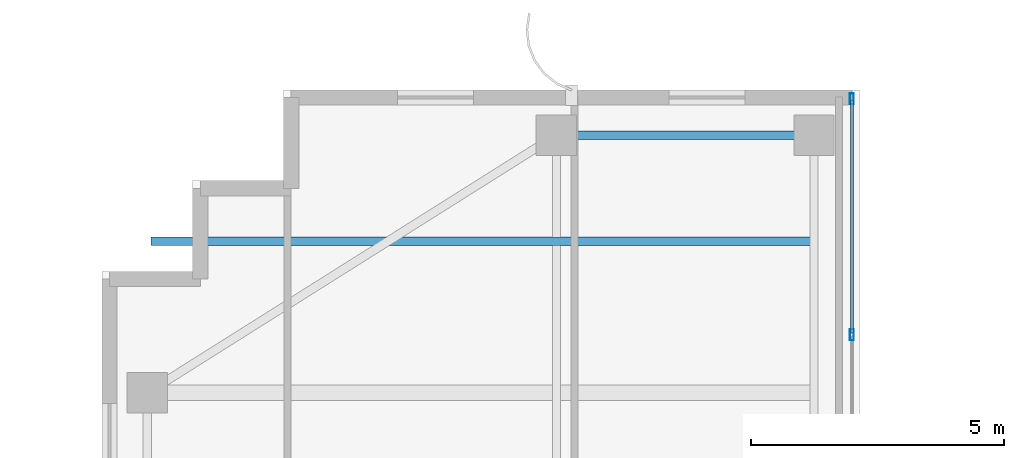
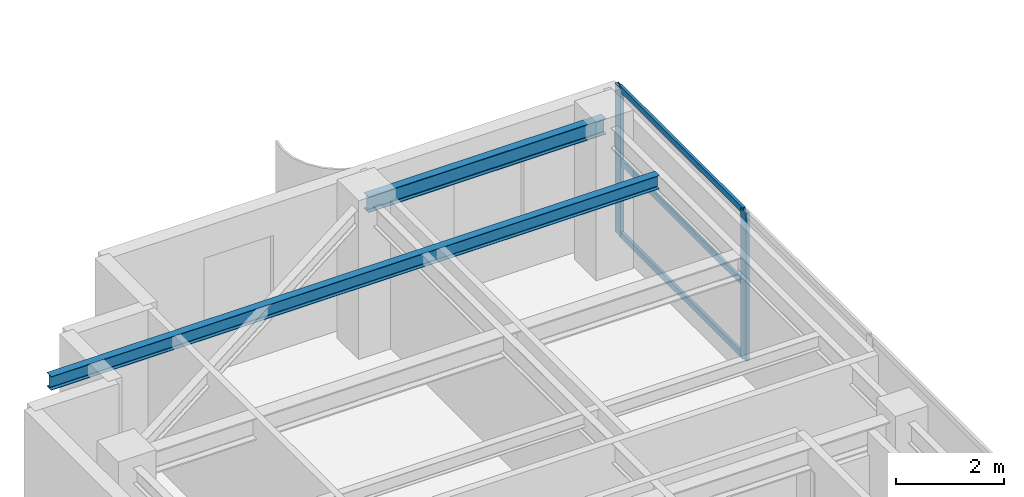
# One storey, part 15 of 24: 5 members, 2 beams, 1 element without a shape of its own.
"""IFC4 building model written with IfcOpenShell, lengths in metres."""

import ifcopenshell
import ifcopenshell.guid

model = None  # the IFC model being written
_history = None  # IfcOwnerHistory: only IFC2X3 demands one
_inside = {}  # id of a spatial element -> (the spatial element, [elements in it])
_under = {}  # id of a project, library or spatial element -> (it, [spatial elements below it])
_declared = {}  # id of a project -> (the project, [libraries it declares])
_typed = {}  # id of a type object -> (the type object, [elements of that type])
_made_of = {}  # id of a material, layer set ... -> (it, [elements and type objects made of it])


def new_model(schema):
    """Start an empty IFC model of exactly this schema.

    Asked for "IFC4X3", IfcOpenShell would pick the latest addendum, in which some entities
    have other attributes; the version numbers below select the first issue.
    IFC2X3 requires an IfcOwnerHistory on every rooted entity: one is made here for all.
    """
    global model, _history
    if schema == "IFC4X3":
        model = ifcopenshell.file(schema_version=(4, 3, 0, 0))
    else:
        model = ifcopenshell.file(schema=schema)
    _inside.clear()
    _under.clear()
    _declared.clear()
    _typed.clear()
    _made_of.clear()
    _history = None
    if model.schema == "IFC2X3":
        org = make("IfcOrganization", Name="unknown")
        user = make(
            "IfcPersonAndOrganization",
            ThePerson=make("IfcPerson", FamilyName="unknown"),
            TheOrganization=org,
        )
        app = make(
            "IfcApplication",
            ApplicationDeveloper=org,
            Version="unknown",
            ApplicationFullName="unknown",
            ApplicationIdentifier="unknown",
        )
        _history = make(
            "IfcOwnerHistory",
            OwningUser=user,
            OwningApplication=app,
            ChangeAction="ADDED",
            CreationDate=0,
        )
    return model


def make(cls, **values):
    """One entity of the class cls with the attributes given. An attribute that is None is left unset."""
    return model.create_entity(
        cls, **{name: value for name, value in values.items() if value is not None}
    )


def rooted(cls, **values):
    """An entity with a GlobalId (a new one), such as an element, a storey or a relation."""
    return make(cls, GlobalId=ifcopenshell.guid.new(), OwnerHistory=_history, **values)


def si_unit(unit_type, name, prefix=None):
    """IfcSIUnit, for example si_unit("LENGTHUNIT", "METRE", prefix="MILLI")."""
    return make("IfcSIUnit", UnitType=unit_type, Prefix=prefix, Name=name)


def assignment(units):
    """IfcUnitAssignment: the units of a project."""
    return None if units is None else make("IfcUnitAssignment", Units=units)


def point(xyz):
    """IfcCartesianPoint."""
    return None if xyz is None else make("IfcCartesianPoint", Coordinates=xyz)


def direction(xyz):
    """IfcDirection."""
    return None if xyz is None else make("IfcDirection", DirectionRatios=xyz)


def frame(location, z_axis=None, x_axis=None):
    """IfcAxis2Placement3D, a coordinate frame: its origin and axes. An axis left out is left unset."""
    return make(
        "IfcAxis2Placement3D",
        Location=point(location),
        Axis=direction(z_axis),
        RefDirection=direction(x_axis),
    )


def frame_2d(location, x_axis=None):
    """IfcAxis2Placement2D, a coordinate frame in the plane: its origin and x axis."""
    return make(
        "IfcAxis2Placement2D", Location=point(location), RefDirection=direction(x_axis)
    )


def origin():
    """The frame at (0, 0, 0) with its axes left unset."""
    return frame((0.0, 0.0, 0.0))


def origin_2d():
    """The frame at (0, 0) in the plane with its x axis left unset."""
    return frame_2d((0.0, 0.0))


def place(relative_to, where):
    """IfcLocalPlacement: puts the frame where relative to a parent placement (None: the world)."""
    return make(
        "IfcLocalPlacement", PlacementRelTo=relative_to, RelativePlacement=where
    )


def context(
    kind, dimensions, precision=None, world=None, true_north=None, identifier=None
):
    """IfcGeometricRepresentationContext, for example the 3D "Model" context."""
    return make(
        "IfcGeometricRepresentationContext",
        ContextIdentifier=identifier,
        ContextType=kind,
        CoordinateSpaceDimension=dimensions,
        Precision=precision,
        WorldCoordinateSystem=world,
        TrueNorth=true_north,
    )


def subcontext(parent, identifier, kind, view, scale=None):
    """IfcGeometricRepresentationSubContext, for example "Body" below "Model"."""
    return make(
        "IfcGeometricRepresentationSubContext",
        ContextIdentifier=identifier,
        ContextType=kind,
        ParentContext=parent,
        TargetScale=scale,
        TargetView=view,
    )


def project(units=None, contexts=None):
    """IfcProject with its units and contexts."""
    return rooted(
        "IfcProject",
        Name="project",
        RepresentationContexts=contexts,
        UnitsInContext=assignment(units),
    )


def spatial(cls, under=None, at=None, **own):
    """A site, building, storey or space (cls), placed at a placement, below another one or the project."""
    s = rooted(cls, ObjectPlacement=at, **own)
    if under is not None:
        _under.setdefault(under.id(), (under, []))[1].append(s)
    return s


def profile(cls, at=None, kind="AREA", **sizes):
    """A parametric profile (cls). Its sizes go by their IFC names, for example OverallWidth=200.0."""
    return make(cls, ProfileType=kind, Position=at, **sizes)


def hollow_rectangle(**sizes):
    """IfcRectangleHollowProfileDef."""
    return profile("IfcRectangleHollowProfileDef", **sizes)


def i_section(**sizes):
    """IfcIShapeProfileDef."""
    return profile("IfcIShapeProfileDef", **sizes)


def extrude(swept, where, along, depth):
    """IfcExtrudedAreaSolid: the profile swept, set in the frame where, extruded along a direction by depth."""
    return make(
        "IfcExtrudedAreaSolid",
        SweptArea=swept,
        Position=where,
        ExtrudedDirection=direction(along),
        Depth=depth,
    )


def shape(context_of_items, identifier, shape_type, items):
    """IfcShapeRepresentation: the items that make up one representation, for example the "Body"."""
    return make(
        "IfcShapeRepresentation",
        ContextOfItems=context_of_items,
        RepresentationIdentifier=identifier,
        RepresentationType=shape_type,
        Items=items,
    )


def source(mapping_origin, context_of_items, identifier, shape_type, items):
    """IfcRepresentationMap: a shape defined once, which mapped items show again and again."""
    return make(
        "IfcRepresentationMap",
        MappingOrigin=mapping_origin,
        MappedRepresentation=shape(context_of_items, identifier, shape_type, items),
    )


def transform(
    local_origin,
    x_axis=None,
    y_axis=None,
    z_axis=None,
    scale=None,
    scale2=None,
    scale3=None,
    uniform=True,
):
    """IfcCartesianTransformationOperator3D, or its non-uniform kind. x_axis, y_axis, z_axis: its Axis1, 2, 3."""
    if uniform:
        return make(
            "IfcCartesianTransformationOperator3D",
            Axis1=direction(x_axis),
            Axis2=direction(y_axis),
            LocalOrigin=point(local_origin),
            Scale=scale,
            Axis3=direction(z_axis),
        )
    return make(
        "IfcCartesianTransformationOperator3DnonUniform",
        Axis1=direction(x_axis),
        Axis2=direction(y_axis),
        LocalOrigin=point(local_origin),
        Scale=scale,
        Axis3=direction(z_axis),
        Scale2=scale2,
        Scale3=scale3,
    )


def mapped(mapping_source, mapping_target):
    """IfcMappedItem: shows the shape of a source again, moved by a transform."""
    return make(
        "IfcMappedItem", MappingSource=mapping_source, MappingTarget=mapping_target
    )


def material(Name=None, Category=None):
    """IfcMaterial."""
    return make("IfcMaterial", Name=Name, Category=Category)


def layer(
    of_material, thickness, ventilated=None, Name=None, Category=None, Priority=None
):
    """IfcMaterialLayer: one layer of a wall or slab, of a material (None: an air gap)."""
    return make(
        "IfcMaterialLayer",
        Material=of_material,
        LayerThickness=thickness,
        IsVentilated=ventilated,
        Name=Name,
        Category=Category,
        Priority=Priority,
    )


def layer_set(layers, Name=None):
    """IfcMaterialLayerSet."""
    return make("IfcMaterialLayerSet", MaterialLayers=layers, LayerSetName=Name)


def material_profile(
    of_material, cross_section, Name=None, Category=None, Priority=None
):
    """IfcMaterialProfile: a cross section and its material."""
    return make(
        "IfcMaterialProfile",
        Name=Name,
        Material=of_material,
        Profile=cross_section,
        Priority=Priority,
        Category=Category,
    )


def profile_set(profiles, Name=None, composite=None):
    """IfcMaterialProfileSet."""
    return make(
        "IfcMaterialProfileSet",
        Name=Name,
        MaterialProfiles=profiles,
        CompositeProfile=composite,
    )


def made_of(thing, what):
    """Note that an element or type object is made of a material, layer set ...; save() writes the relation."""
    if what is not None:
        _made_of.setdefault(what.id(), (what, []))[1].append(thing)
    return thing


def type_object(cls, material=None, **own):
    """A type object (cls), such as IfcWallType, which elements share."""
    return made_of(rooted(cls, **own), material)


def element(
    cls,
    number,
    at=None,
    inside=None,
    cuts=None,
    type_object=None,
    material=None,
    context=None,
    identifier="Body",
    shape_type=None,
    held_by="IfcProductDefinitionShape",
    body=None,
    shapes=None,
    **own,
):
    """One element of the class cls, such as IfcWall. Its Tag is "e" and its number.

    at: its placement. inside: the storey or other place that contains it. cuts: it is an
    opening in that element (IfcRelVoidsElement). A single representation is given by context,
    identifier, shape_type and body (its items); several are given by shapes. held_by: the class
    of the entity that holds the representations. save() writes the other relations.
    """
    e = rooted(cls, Tag="e%d" % number, ObjectPlacement=at, **own)
    if body is not None:
        shapes = [shape(context, identifier, shape_type, body)]
    if shapes is not None:
        e.Representation = make(held_by, Representations=shapes)
    if inside is not None:
        _inside.setdefault(inside.id(), (inside, []))[1].append(e)
    if cuts is not None:
        rooted(
            "IfcRelVoidsElement", RelatingBuildingElement=cuts, RelatedOpeningElement=e
        )
    if type_object is not None:
        _typed.setdefault(type_object.id(), (type_object, []))[1].append(e)
    return made_of(e, material)


def aggregate(whole, parts):
    """IfcRelAggregates: a whole, such as a stair, and the parts it consists of."""
    return rooted("IfcRelAggregates", RelatingObject=whole, RelatedObjects=parts)


def save(model, path):
    """Write the relations noted so far, then the file.

    IfcRelAggregates (storeys below a building ...), IfcRelContainedInSpatialStructure (elements
    in a storey), IfcRelDefinesByType, IfcRelAssociatesMaterial and IfcRelDeclares: one each for
    every whole, place, type object, material and project.
    """
    for whole, parts in _under.values():
        aggregate(whole, parts)
    for where, things in _inside.values():
        rooted(
            "IfcRelContainedInSpatialStructure",
            RelatedElements=things,
            RelatingStructure=where,
        )
    for kind, things in _typed.values():
        rooted("IfcRelDefinesByType", RelatedObjects=things, RelatingType=kind)
    for what, things in _made_of.values():
        rooted("IfcRelAssociatesMaterial", RelatedObjects=things, RelatingMaterial=what)
    for by, libraries in _declared.values():
        rooted("IfcRelDeclares", RelatingContext=by, RelatedDefinitions=libraries)
    model.write(path)


model = new_model("IFC4")

# Units and contexts
model_context = context("Model", 3, precision=1e-05, world=origin(), true_north=direction((0.0, 1.0)))
body_context = subcontext(model_context, "Body", "Model", "MODEL_VIEW")
ifc_project = project(units=[si_unit("LENGTHUNIT", "METRE"), si_unit("AREAUNIT", "SQUARE_METRE"), si_unit("VOLUMEUNIT", "CUBIC_METRE"), si_unit("PLANEANGLEUNIT", "RADIAN"), si_unit("MASSUNIT", "GRAM", prefix="KILO")], contexts=[model_context])

# Site, building, storey
site_placement = place(None, origin())
site = spatial("IfcSite", under=ifc_project, at=site_placement, CompositionType="ELEMENT")
building_placement = place(site_placement, origin())
building = spatial("IfcBuilding", under=site, at=building_placement, Name="Khoralis Quay Care Tower", CompositionType="ELEMENT")
storey_placement = place(building_placement, frame((0.0, 0.0, 227.699951171875)))
storey = spatial("IfcBuildingStorey", under=building, at=storey_placement, Name="L59", CompositionType="ELEMENT", Elevation=227.699951171875)

# Beams
ifc_material_1 = material(Name="Steel S355", Category="steel")
ifc_material_profile_1 = material_profile(ifc_material_1, i_section(OverallWidth=0.169921875, OverallDepth=0.360107421875, WebThickness=0.008056640625, FlangeThickness=0.0126953125, FilletRadius=0.01806640625, at=origin_2d()), Name="Steel S355")
ifc_profile_set_1 = profile_set([ifc_material_profile_1], Name="Steel S355")
beam_type_1 = type_object("IfcBeamType", Name="BM-IPE360", PredefinedType="SPANDREL", material=ifc_profile_set_1)
shared_shape_1 = source(origin(), body_context, "Body", "SweptSolid", [
    extrude(i_section(OverallWidth=0.169921875, OverallDepth=0.360107421875, WebThickness=0.008056640625, FlangeThickness=0.0126953125, FilletRadius=0.01806640625, at=origin_2d()), origin(), (0.0, 0.0, 1.0), 5.10009765625),
])
beam_1_placement = place(storey_placement, frame((12.0, 41.10009765625, 3.179931640625), z_axis=(1.0, 0.0, 0.0), x_axis=(0.0, 1.0, 0.0)))
element("IfcBeam", 1, at=beam_1_placement, inside=storey, type_object=beam_type_1, Name="BM-TSP-L59-03", PredefinedType="SPANDREL", context=body_context, shape_type="MappedRepresentation", body=[
    mapped(shared_shape_1, transform((0.0, 0.0, 0.0), scale=1.0)),
])
ifc_material_profile_2 = material_profile(ifc_material_1, i_section(OverallWidth=0.1650390625, OverallDepth=0.31005859375, WebThickness=0.005859375, FlangeThickness=0.009765625, FilletRadius=0.011962890625, at=origin_2d()), Name="Steel S355")
ifc_profile_set_2 = profile_set([ifc_material_profile_2], Name="Steel S355")
beam_type_2 = type_object("IfcBeamType", Name="BM-W310X39", PredefinedType="JOIST", material=ifc_profile_set_2)
shared_shape_2 = source(origin(), body_context, "Body", "SweptSolid", [
    extrude(i_section(OverallWidth=0.1650390625, OverallDepth=0.31005859375, WebThickness=0.005859375, FlangeThickness=0.009765625, FilletRadius=0.011962890625, at=origin_2d()), origin(), (0.0, 0.0, 1.0), 13.06396484375),
])
beam_2_placement = place(storey_placement, frame((3.970947265625, 39.0, 3.205078125), z_axis=(1.0, 0.0, 0.0), x_axis=(0.0, 1.0, 0.0)))
element("IfcBeam", 2, at=beam_2_placement, inside=storey, type_object=beam_type_2, Name="BM-TJS-L59-21", PredefinedType="JOIST", context=body_context, shape_type="MappedRepresentation", body=[
    mapped(shared_shape_2, transform((0.0, 0.0, 0.0), scale=1.0)),
])

# Curtain wall, members
ifc_material_2 = material(Name="Pale anodised aluminium", Category="aluminium")
ifc_layer = layer(ifc_material_2, 0.18994140625)
ifc_layer_set = layer_set([ifc_layer], Name="Pale anodised aluminium")
curtain_wall_type = type_object("IfcCurtainWallType", Name="CW-SYS-PORTAL", PredefinedType="NOTDEFINED", material=ifc_layer_set)
curtain_wall_placement = place(storey_placement, origin())
curtain_wall = element("IfcCurtainWall", 3, at=curtain_wall_placement, inside=storey, type_object=curtain_wall_type, Name="L59 Unitised Curtain Wall CW-VP-L59-P1-N", PredefinedType="NOTDEFINED")
ifc_material_profile_3 = material_profile(ifc_material_2, hollow_rectangle(XDim=0.06005859375, YDim=0.139892578125, WallThickness=0.00390625, at=origin_2d()), Name="Pale anodised aluminium")
ifc_profile_set_3 = profile_set([ifc_material_profile_3], Name="Pale anodised aluminium")
member_type_1 = type_object("IfcMemberType", Name="CW-TRN-140", PredefinedType="USERDEFINED", material=ifc_profile_set_3)
shared_shape_3 = source(origin(), body_context, "Body", "SweptSolid", [
    extrude(hollow_rectangle(XDim=0.06005859375, YDim=0.139892578125, WallThickness=0.00390625, at=origin_2d()), origin(), (0.0, 0.0, 1.0), 4.610107421875),
])
member_1_placement = place(storey_placement, frame((17.85009765625, 37.179931640625, 0.030029296875), z_axis=(0.0, 1.0, 0.0), x_axis=(-1.0, 0.0, 0.0)))
member_1 = element("IfcMember", 4, at=member_1_placement, type_object=member_type_1, Name="CW4 transom 3.1", ObjectType="TRANSOM", PredefinedType="USERDEFINED", context=body_context, shape_type="MappedRepresentation", body=[
    mapped(shared_shape_3, transform((0.0, 0.0, 0.0), scale=1.0)),
])
member_2_placement = place(storey_placement, frame((17.85009765625, 37.179931640625, 1.679931640625), z_axis=(0.0, 1.0, 0.0), x_axis=(-1.0, 0.0, 0.0)))
member_2 = element("IfcMember", 5, at=member_2_placement, type_object=member_type_1, Name="CW4 transom 3.2", ObjectType="TRANSOM", PredefinedType="USERDEFINED", context=body_context, shape_type="MappedRepresentation", body=[
    mapped(shared_shape_3, transform((0.0, 0.0, 0.0), scale=1.0)),
])
member_3_placement = place(storey_placement, frame((17.85009765625, 37.179931640625, 3.330078125), z_axis=(0.0, 1.0, 0.0), x_axis=(-1.0, 0.0, 0.0)))
member_3 = element("IfcMember", 6, at=member_3_placement, type_object=member_type_1, Name="CW4 transom 3.3", ObjectType="TRANSOM", PredefinedType="USERDEFINED", context=body_context, shape_type="MappedRepresentation", body=[
    mapped(shared_shape_3, transform((0.0, 0.0, 0.0), scale=1.0)),
])
ifc_material_profile_4 = material_profile(ifc_material_2, hollow_rectangle(XDim=0.074951171875, YDim=0.219970703125, WallThickness=0.00390625, at=origin_2d()), Name="Pale anodised aluminium")
ifc_profile_set_4 = profile_set([ifc_material_profile_4], Name="Pale anodised aluminium")
member_type_2 = type_object("IfcMemberType", Name="CW-MUL-220", PredefinedType="MULLION", material=ifc_profile_set_4)
shared_shape_4 = source(origin(), body_context, "Body", "SweptSolid", [
    extrude(hollow_rectangle(XDim=0.074951171875, YDim=0.219970703125, WallThickness=0.00390625, at=origin_2d()), origin(), (0.0, 0.0, 1.0), 3.360107421875),
])
member_4_placement = place(storey_placement, frame((17.85009765625, 37.14990234375, 0.0), z_axis=(0.0, 0.0, 1.0), x_axis=(-1.0, 0.0, 0.0)))
member_4 = element("IfcMember", 7, at=member_4_placement, type_object=member_type_2, Name="CW4 mullion 3", PredefinedType="MULLION", context=body_context, shape_type="MappedRepresentation", body=[
    mapped(shared_shape_4, transform((0.0, 0.0, 0.0), scale=1.0)),
])
member_5_placement = place(storey_placement, frame((17.85009765625, 41.820068359375, 0.0), z_axis=(0.0, 0.0, 1.0), x_axis=(-1.0, 0.0, 0.0)))
member_5 = element("IfcMember", 8, at=member_5_placement, type_object=member_type_2, Name="CW4 mullion 4", PredefinedType="MULLION", context=body_context, shape_type="MappedRepresentation", body=[
    mapped(shared_shape_4, transform((0.0, 0.0, 0.0), scale=1.0)),
])
aggregate(curtain_wall, [member_4, member_5, member_1, member_2, member_3])

save(model, "model.ifc")
